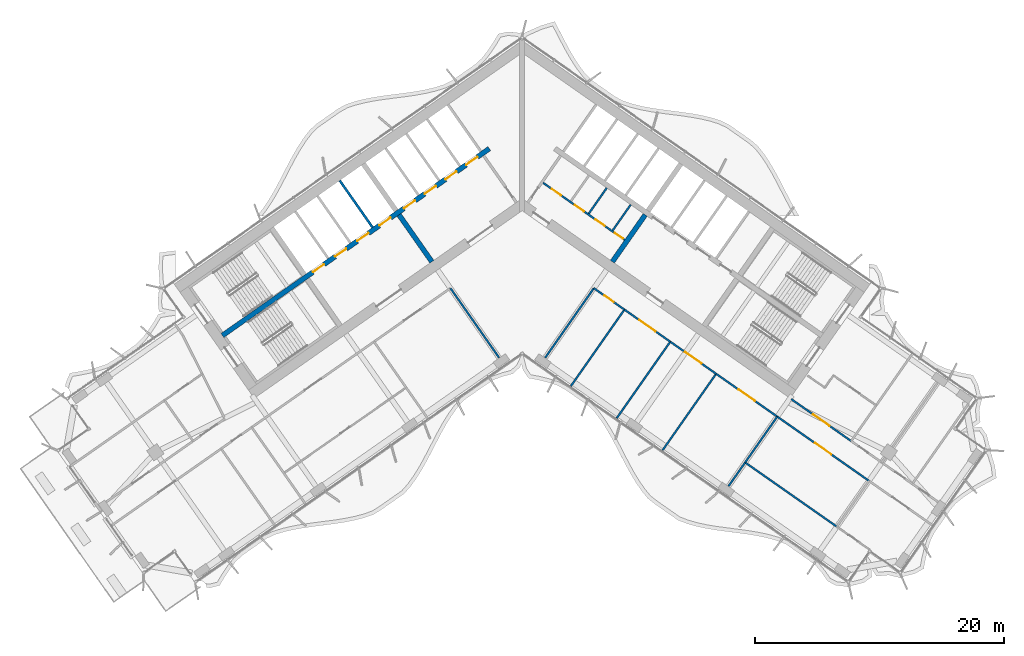
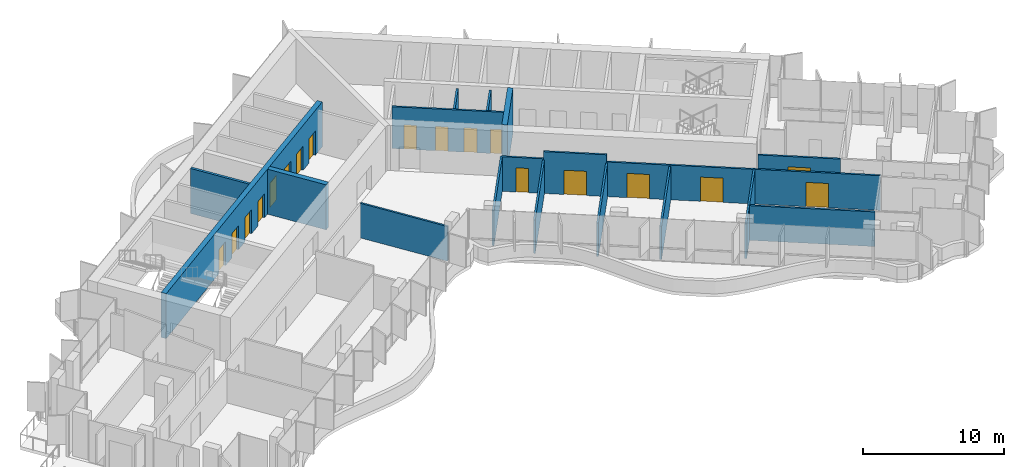
# One storey, part 15 of 24: 21 walls, 18 doors, 18 openings.
"""IFC4 building model written with IfcOpenShell, lengths in metres."""

from ifc_helpers import new_model, si_unit, direction, frame, frame_2d, origin, place, context, subcontext, project, spatial, polyline, rectangle, outline, extrude, material, layer, layer_set, type_object, element, fill, save


model = new_model("IFC4")

# Units and contexts
model_context = context("Model", 3, precision=1e-05, world=origin(), true_north=direction((0.0, 1.0)))
body_context = subcontext(model_context, "Body", "Model", "MODEL_VIEW")
ifc_project = project(units=[si_unit("LENGTHUNIT", "METRE"), si_unit("AREAUNIT", "SQUARE_METRE"), si_unit("VOLUMEUNIT", "CUBIC_METRE"), si_unit("PLANEANGLEUNIT", "RADIAN"), si_unit("MASSUNIT", "GRAM", prefix="KILO")], contexts=[model_context])

# Site, building, storey
site_placement = place(None, origin())
site = spatial("IfcSite", under=ifc_project, at=site_placement, CompositionType="ELEMENT")
building_placement = place(site_placement, origin())
building = spatial("IfcBuilding", under=site, at=building_placement, Name="Tel Ilan Convention Tower", CompositionType="ELEMENT")
storey_placement = place(building_placement, frame((0.0, 0.0, 167.10009765625)))
storey = spatial("IfcBuildingStorey", under=building, at=storey_placement, Name="L38", CompositionType="ELEMENT", Elevation=167.10009765625)

# Wall, openings, doors
ifc_material_1 = material(Name="Gypsum Plasterboard on Steel Stud", Category="steel")
ifc_layer_1 = layer(ifc_material_1, 0.14990234375)
ifc_layer_set_1 = layer_set([ifc_layer_1], Name="Core Room Partition Wall 150 mm EI 60")
wall_type_1 = type_object("IfcWallType", Name="Core Room Partition Wall 150 mm EI 60", PredefinedType="PARTITIONING", material=ifc_layer_set_1)
wall_1_placement = place(storey_placement, frame((1.687744140625, 1.015625, 0.0), z_axis=(0.0, 0.0, 1.0), x_axis=(0.819151624752, -0.573577035512, 0.0)))
wall_1 = element("IfcWall", 1, at=wall_1_placement, inside=storey, type_object=wall_type_1, Name="L38 core wall wc-h1", PredefinedType="PARTITIONING", context=body_context, shape_type="SweptSolid", body=[
    extrude(rectangle(XDim=8.0, YDim=0.14990234375, at=frame_2d((4.0, 0.0))), origin(), (0.0, 0.0, 1.0), 3.619873046875),
])
opening_1_placement = place(wall_1_placement, frame((0.85009765625, 0.0, 0.0)))
opening_1 = element("IfcOpeningElement", 2, at=opening_1_placement, cuts=wall_1, Name="Opening CD3011", PredefinedType="OPENING", context=body_context, shape_type="SweptSolid", body=[
    extrude(rectangle(XDim=0.89990234375, YDim=2.10009765625, at=frame_2d((0.449951171875, 1.050048828125))), frame((0.0, 0.0849609375, 0.0), z_axis=(0.0, -1.0, 0.0), x_axis=(1.0, 0.0, 0.0)), (0.0, 0.0, 1.0), 0.169921875),
])
opening_2_placement = place(wall_1_placement, frame((3.10009765625, 0.0, 0.0)))
opening_2 = element("IfcOpeningElement", 3, at=opening_2_placement, cuts=wall_1, Name="Opening CD3008", PredefinedType="OPENING", context=body_context, shape_type="SweptSolid", body=[
    extrude(rectangle(XDim=0.89990234375, YDim=2.10009765625, at=frame_2d((0.449951171875, 1.050048828125))), frame((0.0, 0.0849609375, 0.0), z_axis=(0.0, -1.0, 0.0), x_axis=(1.0, 0.0, 0.0)), (0.0, 0.0, 1.0), 0.169921875),
])
opening_3_placement = place(wall_1_placement, frame((5.14990234375, 0.0, 0.0)))
opening_3 = element("IfcOpeningElement", 4, at=opening_3_placement, cuts=wall_1, Name="Opening CD3010", PredefinedType="OPENING", context=body_context, shape_type="SweptSolid", body=[
    extrude(rectangle(XDim=0.89990234375, YDim=2.10009765625, at=frame_2d((0.449951171875, 1.050048828125))), frame((0.0, 0.0849609375, 0.0), z_axis=(0.0, -1.0, 0.0), x_axis=(1.0, 0.0, 0.0)), (0.0, 0.0, 1.0), 0.169921875),
])
opening_4_placement = place(wall_1_placement, frame((7.02490234375, 0.0, 0.0)))
opening_4 = element("IfcOpeningElement", 5, at=opening_4_placement, cuts=wall_1, Name="Opening CD3009", PredefinedType="OPENING", context=body_context, shape_type="SweptSolid", body=[
    extrude(rectangle(XDim=0.800048828125, YDim=2.10009765625, at=frame_2d((0.39990234375, 1.050048828125))), frame((0.0, 0.0849609375, 0.0), z_axis=(0.0, -1.0, 0.0), x_axis=(1.0, 0.0, 0.0)), (0.0, 0.0, 1.0), 0.169921875),
])
ifc_material_2 = material(Name="Galvanised Steel Door Leaf", Category="steel")
door_type_1 = type_object("IfcDoorType", Name="Store Door 800 x 2100 FD60", OperationType="NOTDEFINED", PredefinedType="DOOR", material=ifc_material_2)
door_1_placement = place(opening_4_placement, origin())
door_1 = element("IfcDoor", 6, at=door_1_placement, inside=storey, type_object=door_type_1, Name="Cleaner's store door", OperationType="SINGLE_SWING_RIGHT", OverallHeight=2.10009765625, OverallWidth=0.800048828125, PredefinedType="DOOR", context=body_context, shape_type="SweptSolid", body=[
    extrude(rectangle(XDim=0.800048828125, YDim=2.10009765625, at=frame_2d((0.39990234375, 1.050048828125))), frame((0.0, 0.02490234375, 0.0), z_axis=(0.0, -1.0, 0.0), x_axis=(1.0, 0.0, 0.0)), (0.0, 0.0, 1.0), 0.050048828125),
])
fill(opening_4, door_1)
ifc_material_3 = material(Name="Laminated Timber Door Leaf", Category="wood")
door_type_2 = type_object("IfcDoorType", Name="Toilet Door 900 x 2100 FD30S", OperationType="NOTDEFINED", PredefinedType="DOOR", material=ifc_material_3)
door_2_placement = place(opening_1_placement, origin())
door_2 = element("IfcDoor", 7, at=door_2_placement, inside=storey, type_object=door_type_2, Name="Women's WC door", OperationType="SINGLE_SWING_RIGHT", OverallHeight=2.10009765625, OverallWidth=0.89990234375, PredefinedType="DOOR", context=body_context, shape_type="SweptSolid", body=[
    extrude(rectangle(XDim=0.89990234375, YDim=2.10009765625, at=frame_2d((0.449951171875, 1.050048828125))), frame((0.0, 0.02490234375, 0.0), z_axis=(0.0, -1.0, 0.0), x_axis=(1.0, 0.0, 0.0)), (0.0, 0.0, 1.0), 0.050048828125),
])
fill(opening_1, door_2)
door_3_placement = place(opening_2_placement, origin())
door_3 = element("IfcDoor", 8, at=door_3_placement, inside=storey, type_object=door_type_2, Name="Accessible WC door", OperationType="SINGLE_SWING_RIGHT", OverallHeight=2.10009765625, OverallWidth=0.89990234375, PredefinedType="DOOR", context=body_context, shape_type="SweptSolid", body=[
    extrude(rectangle(XDim=0.89990234375, YDim=2.10009765625, at=frame_2d((0.449951171875, 1.050048828125))), frame((0.0, 0.02490234375, 0.0), z_axis=(0.0, -1.0, 0.0), x_axis=(1.0, 0.0, 0.0)), (0.0, 0.0, 1.0), 0.050048828125),
])
fill(opening_2, door_3)
door_4_placement = place(opening_3_placement, origin())
door_4 = element("IfcDoor", 9, at=door_4_placement, inside=storey, type_object=door_type_2, Name="Men's WC door", OperationType="SINGLE_SWING_RIGHT", OverallHeight=2.10009765625, OverallWidth=0.89990234375, PredefinedType="DOOR", context=body_context, shape_type="SweptSolid", body=[
    extrude(rectangle(XDim=0.89990234375, YDim=2.10009765625, at=frame_2d((0.449951171875, 1.050048828125))), frame((0.0, 0.02490234375, 0.0), z_axis=(0.0, -1.0, 0.0), x_axis=(1.0, 0.0, 0.0)), (0.0, 0.0, 1.0), 0.050048828125),
])
fill(opening_3, door_4)

# Walls
for number, where, z_axis, x_axis, name in (
    (10, (5.35546875, -1.4609375, 0.0), (0.0, 0.0, 1.0), (0.573566168143, 0.81915923407, 0.0), "L38 core wall wc-v1"),
    (11, (7.280517578125, -2.808837890625, 0.0), (0.0, 0.0, 1.0), (0.573566168143, 0.81915923407, 0.0), "L38 core wall wc-v2"),
):
    element("IfcWall", number, at=place(storey_placement, frame(where, z_axis=z_axis, x_axis=x_axis)), inside=storey, type_object=wall_type_1, Name=name, PredefinedType="PARTITIONING", context=body_context, shape_type="SweptSolid", body=[
        extrude(rectangle(XDim=2.52490234375, YDim=0.14990234375, at=frame_2d((1.262451171875, 0.0))), origin(), (0.0, 0.0, 1.0), 3.619873046875),
    ])
ifc_material_4 = material(Name="Concrete C50/60", Category="concrete")
ifc_layer_2 = layer(ifc_material_4, 0.39990234375)
ifc_layer_set_2 = layer_set([ifc_layer_2], Name="Core Shear Wall 400 mm C50/60")
wall_type_2 = type_object("IfcWallType", Name="Core Shear Wall 400 mm C50/60", PredefinedType="SHEAR", material=ifc_layer_set_2)
wall_2_placement = place(storey_placement, frame((-7.2578125, -5.325927734375, 0.0), z_axis=(0.0, 0.0, 1.0), x_axis=(-0.573540709186, 0.819177059558, 0.0)))
element("IfcWall", 12, at=wall_2_placement, inside=storey, type_object=wall_type_2, Name="L38 core wall W-cross1-1", PredefinedType="SHEAR", context=body_context, shape_type="SweptSolid", body=[
    extrude(outline(polyline([(4.599853515625, 0.2001953125), (-0.000244140625, 0.199951171875), (-0.000244140625, -0.2001953125), (4.599853515625, -0.199951171875), (4.599853515625, 0.2001953125)])), origin(), (0.0, 0.0, 1.0), 3.89990234375),
])

# Wall, openings, doors
wall_3_placement = place(storey_placement, frame((-2.638427734375, 3.76806640625, 0.0), z_axis=(0.0, 0.0, 1.0), x_axis=(-0.81915267502, -0.573575535572, 0.0)))
wall_3 = element("IfcWall", 13, at=wall_3_placement, inside=storey, type_object=wall_type_2, Name="L38 core wall W-spine", PredefinedType="SHEAR", context=body_context, shape_type="SweptSolid", body=[
    extrude(outline(polyline([(26.199951171875, 0.199951171875), (0.0, 0.199951171875), (0.0, -0.199951171875), (26.199951171875, -0.199951171875), (26.199951171875, 0.199951171875)])), origin(), (0.0, 0.0, 1.0), 3.89990234375),
])
opening_5_placement = place(wall_3_placement, frame((1.168701171875, 0.0, 0.0)))
opening_5 = element("IfcOpeningElement", 14, at=opening_5_placement, cuts=wall_3, Name="Opening LD3004", PredefinedType="OPENING", context=body_context, shape_type="SweptSolid", body=[
    extrude(rectangle(XDim=1.10009765625, YDim=2.10009765625, at=frame_2d((0.550048828125, 1.050048828125))), frame((0.0, 0.2099609375, 0.0), z_axis=(0.0, -1.0, 0.0), x_axis=(1.0, 0.0, 0.0)), (0.0, 0.0, 1.0), 0.419921875),
])
opening_6_placement = place(wall_3_placement, frame((3.206298828125, 0.0, 0.0)))
opening_6 = element("IfcOpeningElement", 15, at=opening_6_placement, cuts=wall_3, Name="Opening LD3005", PredefinedType="OPENING", context=body_context, shape_type="SweptSolid", body=[
    extrude(rectangle(XDim=1.10009765625, YDim=2.10009765625, at=frame_2d((0.550048828125, 1.050048828125))), frame((0.0, 0.2099609375, 0.0), z_axis=(0.0, -1.0, 0.0), x_axis=(1.0, 0.0, 0.0)), (0.0, 0.0, 1.0), 0.419921875),
])
opening_7_placement = place(wall_3_placement, frame((5.24365234375, 0.0, 0.0)))
opening_7 = element("IfcOpeningElement", 16, at=opening_7_placement, cuts=wall_3, Name="Opening LD3006", PredefinedType="OPENING", context=body_context, shape_type="SweptSolid", body=[
    extrude(rectangle(XDim=1.10009765625, YDim=2.10009765625, at=frame_2d((0.550048828125, 1.050048828125))), frame((0.0, 0.2099609375, 0.0), z_axis=(0.0, -1.0, 0.0), x_axis=(1.0, 0.0, 0.0)), (0.0, 0.0, 1.0), 0.419921875),
])
opening_8_placement = place(wall_3_placement, frame((7.28125, 0.0, 0.0)))
opening_8 = element("IfcOpeningElement", 17, at=opening_8_placement, cuts=wall_3, Name="Opening LD3007", PredefinedType="OPENING", context=body_context, shape_type="SweptSolid", body=[
    extrude(rectangle(XDim=1.10009765625, YDim=2.10009765625, at=frame_2d((0.550048828125, 1.050048828125))), frame((0.0, 0.2099609375, 0.0), z_axis=(0.0, -1.0, 0.0), x_axis=(1.0, 0.0, 0.0)), (0.0, 0.0, 1.0), 0.419921875),
])
opening_9_placement = place(wall_3_placement, frame((9.6875, 0.0, 0.0)))
opening_9 = element("IfcOpeningElement", 18, at=opening_9_placement, cuts=wall_3, Name="Opening LD3008", PredefinedType="OPENING", context=body_context, shape_type="SweptSolid", body=[
    extrude(rectangle(XDim=1.10009765625, YDim=2.10009765625, at=frame_2d((0.550048828125, 1.050048828125))), frame((0.0, 0.2099609375, 0.0), z_axis=(0.0, -1.0, 0.0), x_axis=(1.0, 0.0, 0.0)), (0.0, 0.0, 1.0), 0.419921875),
])
opening_10_placement = place(wall_3_placement, frame((11.862548828125, 0.0, 0.0)))
opening_10 = element("IfcOpeningElement", 19, at=opening_10_placement, cuts=wall_3, Name="Opening LD3009", PredefinedType="OPENING", context=body_context, shape_type="SweptSolid", body=[
    extrude(rectangle(XDim=1.10009765625, YDim=2.10009765625, at=frame_2d((0.550048828125, 1.050048828125))), frame((0.0, 0.2099609375, 0.0), z_axis=(0.0, -1.0, 0.0), x_axis=(1.0, 0.0, 0.0)), (0.0, 0.0, 1.0), 0.419921875),
])
opening_11_placement = place(wall_3_placement, frame((14.03759765625, 0.0, 0.0)))
opening_11 = element("IfcOpeningElement", 20, at=opening_11_placement, cuts=wall_3, Name="Opening LD3010", PredefinedType="OPENING", context=body_context, shape_type="SweptSolid", body=[
    extrude(rectangle(XDim=1.10009765625, YDim=2.10009765625, at=frame_2d((0.550048828125, 1.050048828125))), frame((0.0, 0.2099609375, 0.0), z_axis=(0.0, -1.0, 0.0), x_axis=(1.0, 0.0, 0.0)), (0.0, 0.0, 1.0), 0.419921875),
])
opening_12_placement = place(wall_3_placement, frame((16.21240234375, 0.0, 0.0)))
opening_12 = element("IfcOpeningElement", 21, at=opening_12_placement, cuts=wall_3, Name="Opening LD3011", PredefinedType="OPENING", context=body_context, shape_type="SweptSolid", body=[
    extrude(rectangle(XDim=1.10009765625, YDim=2.10009765625, at=frame_2d((0.550048828125, 1.050048828125))), frame((0.0, 0.2099609375, 0.0), z_axis=(0.0, -1.0, 0.0), x_axis=(1.0, 0.0, 0.0)), (0.0, 0.0, 1.0), 0.419921875),
])
ifc_material_5 = material(Name="Stainless Steel Sliding Door Leaf", Category="steel")
door_type_3 = type_object("IfcDoorType", Name="Lift Landing Door 1100 x 2100 FD120", OperationType="NOTDEFINED", PredefinedType="DOOR", material=ifc_material_5)
door_5_placement = place(opening_5_placement, origin())
door_5 = element("IfcDoor", 22, at=door_5_placement, inside=storey, type_object=door_type_3, Name="Lift LR1 landing door", OperationType="SLIDING_TO_LEFT", OverallHeight=2.10009765625, OverallWidth=1.10009765625, PredefinedType="DOOR", context=body_context, shape_type="SweptSolid", body=[
    extrude(rectangle(XDim=1.10009765625, YDim=2.10009765625, at=frame_2d((0.550048828125, 1.050048828125))), frame((0.0, 0.02490234375, 0.0), z_axis=(0.0, -1.0, 0.0), x_axis=(1.0, 0.0, 0.0)), (0.0, 0.0, 1.0), 0.050048828125),
])
fill(opening_5, door_5)
door_6_placement = place(opening_6_placement, origin())
door_6 = element("IfcDoor", 23, at=door_6_placement, inside=storey, type_object=door_type_3, Name="Lift LR2 landing door", OperationType="SLIDING_TO_RIGHT", OverallHeight=2.10009765625, OverallWidth=1.10009765625, PredefinedType="DOOR", context=body_context, shape_type="SweptSolid", body=[
    extrude(rectangle(XDim=1.10009765625, YDim=2.10009765625, at=frame_2d((0.550048828125, 1.050048828125))), frame((0.0, 0.02490234375, 0.0), z_axis=(0.0, -1.0, 0.0), x_axis=(1.0, 0.0, 0.0)), (0.0, 0.0, 1.0), 0.050048828125),
])
fill(opening_6, door_6)
door_7_placement = place(opening_7_placement, origin())
door_7 = element("IfcDoor", 24, at=door_7_placement, inside=storey, type_object=door_type_3, Name="Lift LR3 landing door", OperationType="SLIDING_TO_LEFT", OverallHeight=2.10009765625, OverallWidth=1.10009765625, PredefinedType="DOOR", context=body_context, shape_type="SweptSolid", body=[
    extrude(rectangle(XDim=1.10009765625, YDim=2.10009765625, at=frame_2d((0.550048828125, 1.050048828125))), frame((0.0, 0.02490234375, 0.0), z_axis=(0.0, -1.0, 0.0), x_axis=(1.0, 0.0, 0.0)), (0.0, 0.0, 1.0), 0.050048828125),
])
fill(opening_7, door_7)
door_8_placement = place(opening_8_placement, origin())
door_8 = element("IfcDoor", 25, at=door_8_placement, inside=storey, type_object=door_type_3, Name="Lift LR4 landing door", OperationType="SLIDING_TO_RIGHT", OverallHeight=2.10009765625, OverallWidth=1.10009765625, PredefinedType="DOOR", context=body_context, shape_type="SweptSolid", body=[
    extrude(rectangle(XDim=1.10009765625, YDim=2.10009765625, at=frame_2d((0.550048828125, 1.050048828125))), frame((0.0, 0.02490234375, 0.0), z_axis=(0.0, -1.0, 0.0), x_axis=(1.0, 0.0, 0.0)), (0.0, 0.0, 1.0), 0.050048828125),
])
fill(opening_8, door_8)
door_9_placement = place(opening_9_placement, origin())
door_9 = element("IfcDoor", 26, at=door_9_placement, inside=storey, type_object=door_type_3, Name="Lift LR5 landing door", OperationType="SLIDING_TO_LEFT", OverallHeight=2.10009765625, OverallWidth=1.10009765625, PredefinedType="DOOR", context=body_context, shape_type="SweptSolid", body=[
    extrude(rectangle(XDim=1.10009765625, YDim=2.10009765625, at=frame_2d((0.550048828125, 1.050048828125))), frame((0.0, 0.02490234375, 0.0), z_axis=(0.0, -1.0, 0.0), x_axis=(1.0, 0.0, 0.0)), (0.0, 0.0, 1.0), 0.050048828125),
])
fill(opening_9, door_9)
door_10_placement = place(opening_10_placement, origin())
door_10 = element("IfcDoor", 27, at=door_10_placement, inside=storey, type_object=door_type_3, Name="Lift LR6 landing door", OperationType="SLIDING_TO_RIGHT", OverallHeight=2.10009765625, OverallWidth=1.10009765625, PredefinedType="DOOR", context=body_context, shape_type="SweptSolid", body=[
    extrude(rectangle(XDim=1.10009765625, YDim=2.10009765625, at=frame_2d((0.550048828125, 1.050048828125))), frame((0.0, 0.02490234375, 0.0), z_axis=(0.0, -1.0, 0.0), x_axis=(1.0, 0.0, 0.0)), (0.0, 0.0, 1.0), 0.050048828125),
])
fill(opening_10, door_10)
door_11_placement = place(opening_11_placement, origin())
door_11 = element("IfcDoor", 28, at=door_11_placement, inside=storey, type_object=door_type_3, Name="Lift LR7 landing door", OperationType="SLIDING_TO_LEFT", OverallHeight=2.10009765625, OverallWidth=1.10009765625, PredefinedType="DOOR", context=body_context, shape_type="SweptSolid", body=[
    extrude(rectangle(XDim=1.10009765625, YDim=2.10009765625, at=frame_2d((0.550048828125, 1.050048828125))), frame((0.0, 0.02490234375, 0.0), z_axis=(0.0, -1.0, 0.0), x_axis=(1.0, 0.0, 0.0)), (0.0, 0.0, 1.0), 0.050048828125),
])
fill(opening_11, door_11)
door_12_placement = place(opening_12_placement, origin())
door_12 = element("IfcDoor", 29, at=door_12_placement, inside=storey, type_object=door_type_3, Name="Lift LR8 landing door", OperationType="SLIDING_TO_RIGHT", OverallHeight=2.10009765625, OverallWidth=1.10009765625, PredefinedType="DOOR", context=body_context, shape_type="SweptSolid", body=[
    extrude(rectangle(XDim=1.10009765625, YDim=2.10009765625, at=frame_2d((0.550048828125, 1.050048828125))), frame((0.0, 0.02490234375, 0.0), z_axis=(0.0, -1.0, 0.0), x_axis=(1.0, 0.0, 0.0)), (0.0, 0.0, 1.0), 0.050048828125),
])
fill(opening_12, door_12)

# Wall
wall_4_placement = place(storey_placement, frame((7.2578125, -5.325927734375, 0.0), z_axis=(0.0, 0.0, 1.0), x_axis=(0.573540709186, 0.819177059558, 0.0)))
element("IfcWall", 30, at=wall_4_placement, inside=storey, type_object=wall_type_2, Name="L38 core wall E-cross1-1", PredefinedType="SHEAR", context=body_context, shape_type="SweptSolid", body=[
    extrude(outline(polyline([(-0.000244140625, 0.2001953125), (-0.000244140625, -0.199951171875), (4.599853515625, -0.2001953125), (4.599853515625, 0.199951171875), (-0.000244140625, 0.2001953125)])), origin(), (0.0, 0.0, 1.0), 3.89990234375),
])

# Wall, opening, door
ifc_material_6 = material(Name="Plasterboard on Steel Studs", Category="steel")
ifc_layer_3 = layer(ifc_material_6, 0.14990234375)
ifc_layer_set_3 = layer_set([ifc_layer_3], Name="Fire-rated Partition 150 EI 60")
wall_type_3 = type_object("IfcWallType", Name="Fire-rated Partition 150 EI 60", PredefinedType="PARTITIONING", material=ifc_layer_set_3)
wall_5_placement = place(storey_placement, frame((21.641845703125, -16.37451171875, 0.0), z_axis=(0.0, 0.0, 1.0), x_axis=(0.819157816137, -0.57356819321, 0.0)))
wall_5 = element("IfcWall", 31, at=wall_5_placement, inside=storey, type_object=wall_type_3, Name="Partition 001", PredefinedType="PARTITIONING", context=body_context, shape_type="SweptSolid", body=[
    extrude(rectangle(XDim=5.882080078125, YDim=0.14990234375, at=frame_2d((2.94091796875, 0.0))), origin(), (0.0, 0.0, 1.0), 3.0),
])
opening_13_placement = place(wall_5_placement, frame((2.14111328125, 0.0, 0.0)))
opening_13 = element("IfcOpeningElement", 32, at=opening_13_placement, cuts=wall_5, Name="Opening L38-016", PredefinedType="OPENING", context=body_context, shape_type="SweptSolid", body=[
    extrude(rectangle(XDim=1.60009765625, YDim=2.10009765625, at=frame_2d((0.800048828125, 1.050048828125))), frame((0.0, 0.0849609375, 0.0), z_axis=(0.0, -1.0, 0.0), x_axis=(1.0, 0.0, 0.0)), (0.0, 0.0, 1.0), 0.169921875),
])
ifc_material_7 = material(Name="Timber Door Leaf in Steel Frame", Category="steel")
door_type_4 = type_object("IfcDoorType", Name="Tenant Suite Entrance Fire Door 1600x2100", OperationType="NOTDEFINED", PredefinedType="DOOR", material=ifc_material_7)
door_13_placement = place(opening_13_placement, origin())
door_13 = element("IfcDoor", 33, at=door_13_placement, inside=storey, type_object=door_type_4, Name="Door L38-016", OperationType="DOUBLE_DOOR_SINGLE_SWING", OverallHeight=2.10009765625, OverallWidth=1.60009765625, PredefinedType="DOOR", context=body_context, shape_type="SweptSolid", body=[
    extrude(rectangle(XDim=1.60009765625, YDim=2.10009765625, at=frame_2d((0.800048828125, 1.050048828125))), frame((0.0, 0.02490234375, 0.0), z_axis=(0.0, -1.0, 0.0), x_axis=(1.0, 0.0, 0.0)), (0.0, 0.0, 1.0), 0.050048828125),
])
fill(opening_13, door_13)

wall_6_placement = place(storey_placement, frame((8.225341796875, -9.177734375, 0.0), z_axis=(0.0, 0.0, 1.0), x_axis=(-0.819132568355, 0.573604249862, 0.0)))
wall_6 = element("IfcWall", 34, at=wall_6_placement, inside=storey, type_object=wall_type_3, Name="Partition 005", PredefinedType="PARTITIONING", context=body_context, shape_type="SweptSolid", body=[
    extrude(rectangle(XDim=3.001953125, YDim=0.14990234375, at=frame_2d((1.5009765625, 0.0))), origin(), (0.0, 0.0, 1.0), 3.0),
])
opening_14_placement = place(wall_6_placement, frame((1.051025390625, 0.0, 0.0)))
opening_14 = element("IfcOpeningElement", 35, at=opening_14_placement, cuts=wall_6, Name="Opening L38-009", PredefinedType="OPENING", context=body_context, shape_type="SweptSolid", body=[
    extrude(rectangle(XDim=0.89990234375, YDim=2.10009765625, at=frame_2d((0.449951171875, 1.050048828125))), frame((0.0, 0.0849609375, 0.0), z_axis=(0.0, -1.0, 0.0), x_axis=(1.0, 0.0, 0.0)), (0.0, 0.0, 1.0), 0.169921875),
])
ifc_material_8 = material(Name="Timber Door Leaf in Steel Frame", Category="steel")
door_type_5 = type_object("IfcDoorType", Name="Room Fire Door 900x2100", OperationType="NOTDEFINED", PredefinedType="DOOR", material=ifc_material_8)
door_14_placement = place(opening_14_placement, origin())
door_14 = element("IfcDoor", 36, at=door_14_placement, inside=storey, type_object=door_type_5, Name="Door L38-009", OperationType="SINGLE_SWING_RIGHT", OverallHeight=2.10009765625, OverallWidth=0.89990234375, PredefinedType="DOOR", context=body_context, shape_type="SweptSolid", body=[
    extrude(rectangle(XDim=0.89990234375, YDim=2.10009765625, at=frame_2d((0.449951171875, 1.050048828125))), frame((0.0, 0.02490234375, 0.0), z_axis=(0.0, -1.0, 0.0), x_axis=(1.0, 0.0, 0.0)), (0.0, 0.0, 1.0), 0.050048828125),
])
fill(opening_14, door_14)

wall_7_placement = place(storey_placement, frame((11.91162109375, -11.7587890625, 0.0), z_axis=(0.0, 0.0, 1.0), x_axis=(-0.819140235121, 0.573593301221, 0.0)))
wall_7 = element("IfcWall", 37, at=wall_7_placement, inside=storey, type_object=wall_type_3, Name="Partition 006", PredefinedType="PARTITIONING", context=body_context, shape_type="SweptSolid", body=[
    extrude(rectangle(XDim=4.504150390625, YDim=0.14990234375, at=frame_2d((2.251953125, 0.0))), origin(), (0.0, 0.0, 1.0), 3.619873046875),
])
opening_15_placement = place(wall_7_placement, frame((1.451904296875, 0.0, 0.0)))
opening_15 = element("IfcOpeningElement", 38, at=opening_15_placement, cuts=wall_7, Name="Opening L38-010", PredefinedType="OPENING", context=body_context, shape_type="SweptSolid", body=[
    extrude(rectangle(XDim=1.60009765625, YDim=2.10009765625, at=frame_2d((0.800048828125, 1.050048828125))), frame((0.0, 0.0849609375, 0.0), z_axis=(0.0, -1.0, 0.0), x_axis=(1.0, 0.0, 0.0)), (0.0, 0.0, 1.0), 0.169921875),
])
door_15_placement = place(opening_15_placement, origin())
door_15 = element("IfcDoor", 39, at=door_15_placement, inside=storey, type_object=door_type_4, Name="Door L38-010", OperationType="DOUBLE_DOOR_SINGLE_SWING", OverallHeight=2.10009765625, OverallWidth=1.60009765625, PredefinedType="DOOR", context=body_context, shape_type="SweptSolid", body=[
    extrude(rectangle(XDim=1.60009765625, YDim=2.10009765625, at=frame_2d((0.800048828125, 1.050048828125))), frame((0.0, 0.02490234375, 0.0), z_axis=(0.0, -1.0, 0.0), x_axis=(1.0, 0.0, 0.0)), (0.0, 0.0, 1.0), 0.050048828125),
])
fill(opening_15, door_15)

wall_8_placement = place(storey_placement, frame((15.597900390625, -14.33984375, 0.0), z_axis=(0.0, 0.0, 1.0), x_axis=(-0.819165703328, 0.573556928727, 0.0)))
wall_8 = element("IfcWall", 40, at=wall_8_placement, inside=storey, type_object=wall_type_3, Name="Partition 007", PredefinedType="PARTITIONING", context=body_context, shape_type="SweptSolid", body=[
    extrude(rectangle(XDim=4.50390625, YDim=0.14990234375, at=frame_2d((2.251953125, 0.0))), origin(), (0.0, 0.0, 1.0), 3.0),
])
opening_16_placement = place(wall_8_placement, frame((1.451904296875, 0.0, 0.0)))
opening_16 = element("IfcOpeningElement", 41, at=opening_16_placement, cuts=wall_8, Name="Opening L38-011", PredefinedType="OPENING", context=body_context, shape_type="SweptSolid", body=[
    extrude(rectangle(XDim=1.60009765625, YDim=2.10009765625, at=frame_2d((0.800048828125, 1.050048828125))), frame((0.0, 0.0849609375, 0.0), z_axis=(0.0, -1.0, 0.0), x_axis=(1.0, 0.0, 0.0)), (0.0, 0.0, 1.0), 0.169921875),
])
door_16_placement = place(opening_16_placement, origin())
door_16 = element("IfcDoor", 42, at=door_16_placement, inside=storey, type_object=door_type_4, Name="Door L38-011", OperationType="DOUBLE_DOOR_SINGLE_SWING", OverallHeight=2.10009765625, OverallWidth=1.60009765625, PredefinedType="DOOR", context=body_context, shape_type="SweptSolid", body=[
    extrude(rectangle(XDim=1.60009765625, YDim=2.10009765625, at=frame_2d((0.800048828125, 1.050048828125))), frame((0.0, 0.02490234375, 0.0), z_axis=(0.0, -1.0, 0.0), x_axis=(1.0, 0.0, 0.0)), (0.0, 0.0, 1.0), 0.050048828125),
])
fill(opening_16, door_16)

wall_9_placement = place(storey_placement, frame((20.5126953125, -17.781494140625, 0.0), z_axis=(0.0, 0.0, 1.0), x_axis=(-0.819145946981, 0.573585144111, 0.0)))
wall_9 = element("IfcWall", 43, at=wall_9_placement, inside=storey, type_object=wall_type_3, Name="Partition 008", PredefinedType="PARTITIONING", context=body_context, shape_type="SweptSolid", body=[
    extrude(rectangle(XDim=6.004150390625, YDim=0.14990234375, at=frame_2d((3.001953125, 0.0))), origin(), (0.0, 0.0, 1.0), 3.0),
])
opening_17_placement = place(wall_9_placement, frame((2.201904296875, 0.0, 0.0)))
opening_17 = element("IfcOpeningElement", 44, at=opening_17_placement, cuts=wall_9, Name="Opening L38-012", PredefinedType="OPENING", context=body_context, shape_type="SweptSolid", body=[
    extrude(rectangle(XDim=1.60009765625, YDim=2.10009765625, at=frame_2d((0.800048828125, 1.050048828125))), frame((0.0, 0.0849609375, 0.0), z_axis=(0.0, -1.0, 0.0), x_axis=(1.0, 0.0, 0.0)), (0.0, 0.0, 1.0), 0.169921875),
])
door_17_placement = place(opening_17_placement, origin())
door_17 = element("IfcDoor", 45, at=door_17_placement, inside=storey, type_object=door_type_4, Name="Door L38-012", OperationType="DOUBLE_DOOR_SINGLE_SWING", OverallHeight=2.10009765625, OverallWidth=1.60009765625, PredefinedType="DOOR", context=body_context, shape_type="SweptSolid", body=[
    extrude(rectangle(XDim=1.60009765625, YDim=2.10009765625, at=frame_2d((0.800048828125, 1.050048828125))), frame((0.0, 0.02490234375, 0.0), z_axis=(0.0, -1.0, 0.0), x_axis=(1.0, 0.0, 0.0)), (0.0, 0.0, 1.0), 0.050048828125),
])
fill(opening_17, door_17)

wall_10_placement = place(storey_placement, frame((27.885009765625, -22.943603515625, 0.0), z_axis=(0.0, 0.0, 1.0), x_axis=(-0.819142740634, 0.573589723117, 0.0)))
wall_10 = element("IfcWall", 46, at=wall_10_placement, inside=storey, type_object=wall_type_3, Name="Partition 009", PredefinedType="PARTITIONING", context=body_context, shape_type="SweptSolid", body=[
    extrude(rectangle(XDim=9.00390625, YDim=0.14990234375, at=frame_2d((4.501953125, 0.0))), origin(), (0.0, 0.0, 1.0), 3.0),
])
opening_18_placement = place(wall_10_placement, frame((3.701904296875, 0.0, 0.0)))
opening_18 = element("IfcOpeningElement", 47, at=opening_18_placement, cuts=wall_10, Name="Opening L38-013", PredefinedType="OPENING", context=body_context, shape_type="SweptSolid", body=[
    extrude(rectangle(XDim=1.60009765625, YDim=2.10009765625, at=frame_2d((0.800048828125, 1.050048828125))), frame((0.0, 0.0849609375, 0.0), z_axis=(0.0, -1.0, 0.0), x_axis=(1.0, 0.0, 0.0)), (0.0, 0.0, 1.0), 0.169921875),
])
door_18_placement = place(opening_18_placement, origin())
door_18 = element("IfcDoor", 48, at=door_18_placement, inside=storey, type_object=door_type_4, Name="Door L38-013", OperationType="DOUBLE_DOOR_SINGLE_SWING", OverallHeight=2.10009765625, OverallWidth=1.60009765625, PredefinedType="DOOR", context=body_context, shape_type="SweptSolid", body=[
    extrude(rectangle(XDim=1.60009765625, YDim=2.10009765625, at=frame_2d((0.800048828125, 1.050048828125))), frame((0.0, 0.02490234375, 0.0), z_axis=(0.0, -1.0, 0.0), x_axis=(1.0, 0.0, 0.0)), (0.0, 0.0, 1.0), 0.050048828125),
])
fill(opening_18, door_18)

# Walls
wall_11_placement = place(storey_placement, frame((8.223876953125, -9.176513671875, 0.0), z_axis=(0.0, 0.0, 1.0), x_axis=(-0.573560650686, -0.819163097304, 0.0)))
element("IfcWall", 49, at=wall_11_placement, inside=storey, type_object=wall_type_3, Name="Partition 025", PredefinedType="PARTITIONING", context=body_context, shape_type="SweptSolid", body=[
    extrude(rectangle(XDim=7.5, YDim=0.14990234375, at=frame_2d((3.75, 0.0))), origin(), (0.0, 0.0, 1.0), 2.89990234375),
])
wall_12_placement = place(storey_placement, frame((1.848876953125, -13.050537109375, 0.0), z_axis=(0.0, 0.0, 1.0), x_axis=(0.573577493031, 0.819151304393, 0.0)))
element("IfcWall", 50, at=wall_12_placement, inside=storey, type_object=wall_type_3, Name="Partition 026", PredefinedType="PARTITIONING", context=body_context, shape_type="SweptSolid", body=[
    extrude(rectangle(XDim=6.829833984375, YDim=0.14990234375, at=frame_2d((3.4150390625, 0.0))), origin(), (0.0, 0.0, 1.0), 3.0),
])
for number, where, z_axis, x_axis, name in (
    (51, (11.909912109375, -11.757568359375, 0.0), (0.0, 0.0, 1.0), (-0.573560650686, -0.819163097304, 0.0), "Partition 027"),
    (52, (15.59619140625, -14.338623046875, 0.0), (0.0, 0.0, 1.0), (-0.573560650686, -0.819163097304, 0.0), "Partition 028"),
):
    element("IfcWall", number, at=place(storey_placement, frame(where, z_axis=z_axis, x_axis=x_axis)), inside=storey, type_object=wall_type_3, Name=name, PredefinedType="PARTITIONING", context=body_context, shape_type="SweptSolid", body=[
        extrude(rectangle(XDim=7.5, YDim=0.14990234375, at=frame_2d((3.75, 0.0))), origin(), (0.0, 0.0, 1.0), 2.89990234375),
    ])
wall_13_placement = place(storey_placement, frame((20.510986328125, -17.7802734375, 0.0), z_axis=(0.0, 0.0, 1.0), x_axis=(-0.573553333433, -0.819168220641, 0.0)))
element("IfcWall", 53, at=wall_13_placement, inside=storey, type_object=wall_type_3, Name="Partition 029", PredefinedType="PARTITIONING", context=body_context, shape_type="SweptSolid", body=[
    extrude(rectangle(XDim=4.501708984375, YDim=0.14990234375, at=frame_2d((2.2509765625, 0.0))), origin(), (0.0, 0.0, 1.0), 3.0),
])
wall_14_placement = place(storey_placement, frame((17.9306640625, -21.465576171875, 0.0), z_axis=(0.0, 0.0, 1.0), x_axis=(-0.57362400197, -0.819118736426, 0.0)))
element("IfcWall", 54, at=wall_14_placement, inside=storey, type_object=wall_type_3, Name="Partition 030", PredefinedType="PARTITIONING", context=body_context, shape_type="SweptSolid", body=[
    extrude(rectangle(XDim=2.3310546875, YDim=0.14990234375, at=frame_2d((1.16552734375, 0.0))), origin(), (0.0, 0.0, 1.0), 3.0),
])
wall_15_placement = place(storey_placement, frame((25.302490234375, -26.628662109375, 0.0), z_axis=(0.0, 0.0, 1.0), x_axis=(-0.819150352239, 0.573578852841, 0.0)))
element("IfcWall", 55, at=wall_15_placement, inside=storey, type_object=wall_type_3, Name="Partition 031", PredefinedType="PARTITIONING", context=body_context, shape_type="SweptSolid", body=[
    extrude(rectangle(XDim=9.000244140625, YDim=0.14990234375, at=frame_2d((4.5, 0.0))), origin(), (0.0, 0.0, 1.0), 3.0),
])
wall_16_placement = place(storey_placement, frame((-1.848876953125, -13.050537109375, 0.0), z_axis=(0.0, 0.0, 1.0), x_axis=(-0.57357985571, 0.819149650018, 0.0)))
element("IfcWall", 56, at=wall_16_placement, inside=storey, type_object=wall_type_3, Name="Partition 034", PredefinedType="PARTITIONING", context=body_context, shape_type="SweptSolid", body=[
    extrude(rectangle(XDim=6.83203125, YDim=0.14990234375, at=frame_2d((3.416015625, 0.0))), origin(), (0.0, 0.0, 1.0), 3.0),
])
ifc_material_9 = material(Name="Concrete C30/37", Category="concrete")
ifc_layer_4 = layer(ifc_material_9, 0.199951171875)
ifc_layer_set_4 = layer_set([ifc_layer_4], Name="Lift Shaft Wall 200 mm C30/37")
wall_type_4 = type_object("IfcWallType", Name="Lift Shaft Wall 200 mm C30/37", PredefinedType="SOLIDWALL", material=ifc_layer_set_4)
wall_17_placement = place(storey_placement, frame((-12.030029296875, -2.563720703125, 0.0), z_axis=(0.0, 0.0, 1.0), x_axis=(-0.573576324356, 0.819152122709, 0.0)))
element("IfcWall", 57, at=wall_17_placement, inside=storey, type_object=wall_type_4, Name="L38 core wall bank-W2-p0", PredefinedType="SOLIDWALL", context=body_context, shape_type="SweptSolid", body=[
    extrude(rectangle(XDim=4.599853515625, YDim=0.199951171875, at=frame_2d((2.2998046875, 0.0))), origin(), (0.0, 0.0, 1.0), 3.89990234375),
])

save(model, "model.ifc")
